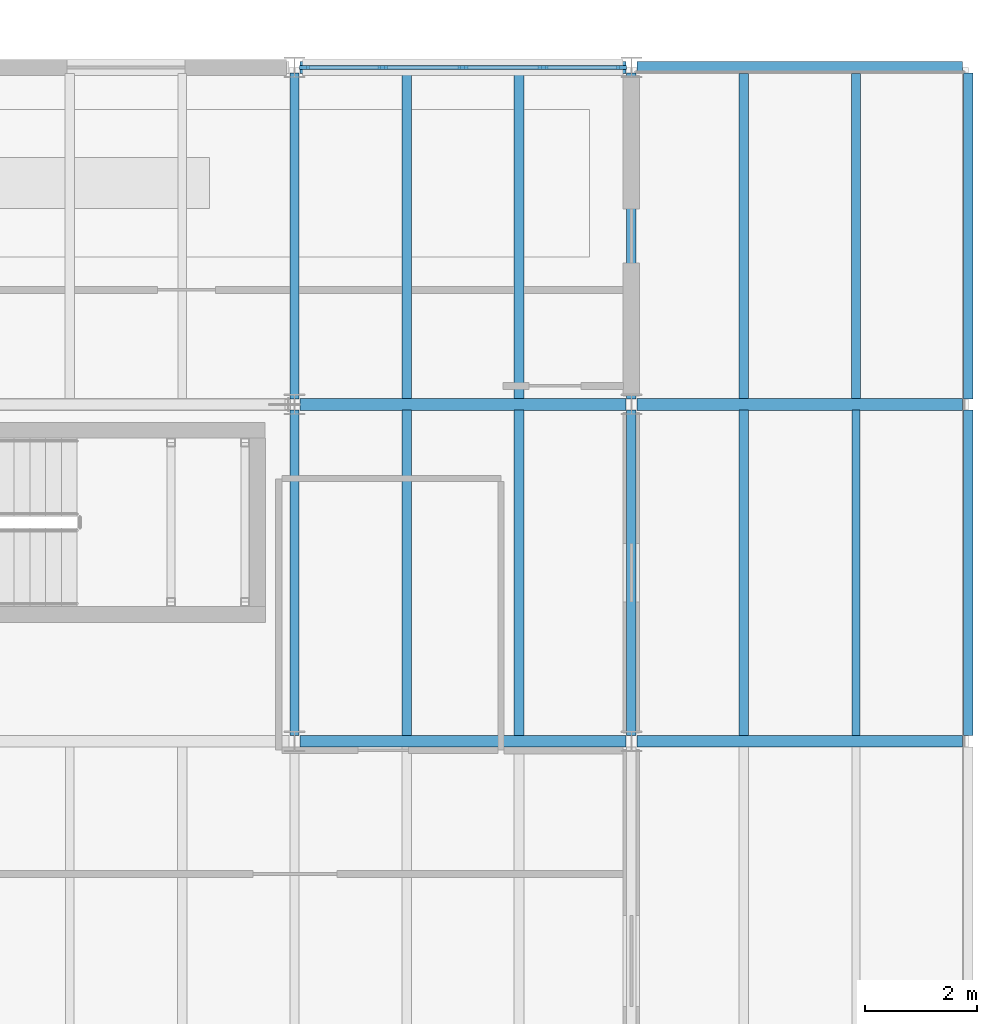
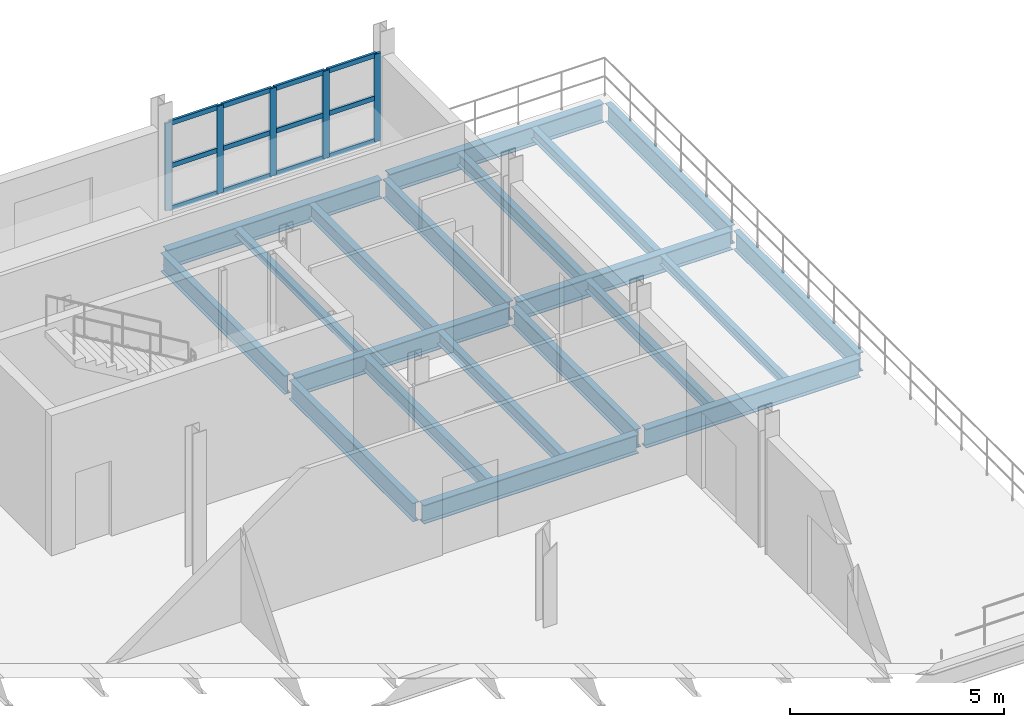
# One storey, part 20 of 45: 20 beams, 17 members, 1 element without a shape of its own.
"""IFC4 building model written with IfcOpenShell, lengths in metres."""

from ifc_helpers import new_model, si_unit, direction, frame, origin, origin_2d, place, context, subcontext, project, spatial, rectangle, i_section, extrude, material, material_profile, profile_set, type_object, element, aggregate, save


model = new_model("IFC4")

# Units and contexts
model_context = context("Model", 3, precision=1e-05, world=origin(), true_north=direction((0.0, 1.0)))
body_context = subcontext(model_context, "Body", "Model", "MODEL_VIEW")
ifc_project = project(units=[si_unit("LENGTHUNIT", "METRE"), si_unit("AREAUNIT", "SQUARE_METRE"), si_unit("VOLUMEUNIT", "CUBIC_METRE"), si_unit("PLANEANGLEUNIT", "RADIAN"), si_unit("MASSUNIT", "GRAM", prefix="KILO")], contexts=[model_context])

# Site, building, storey
site_placement = place(None, origin())
site = spatial("IfcSite", under=ifc_project, at=site_placement, CompositionType="ELEMENT")
building_placement = place(site_placement, origin())
building = spatial("IfcBuilding", under=site, at=building_placement, Name="Siltcreek Boulevard Central Fire Station", CompositionType="ELEMENT")
storey_placement = place(building_placement, frame((0.0, 0.0, 10.0)))
storey = spatial("IfcBuildingStorey", under=building, at=storey_placement, Name="L03", CompositionType="ELEMENT", Elevation=10.0)

# Beams
ifc_material_1 = material(Name="Structural steel ASTM A992 Gr50", Category="steel")
ifc_material_profile_1 = material_profile(ifc_material_1, i_section(OverallWidth=0.2109375, OverallDepth=0.5390625, WebThickness=0.01171875, FlangeThickness=0.018798828125, at=origin_2d()), Name="W530X109")
ifc_profile_set_1 = profile_set([ifc_material_profile_1], Name="Structural steel ASTM A992 Gr50")
beam_type_1 = type_object("IfcBeamType", Name="BM_W530X109", PredefinedType="BEAM", material=ifc_profile_set_1)
for number, where, z_axis, x_axis, name in (
    (1, (154.300048828125, 100.199951171875, -0.549560546875), (1.0, 0.0, 0.0), (0.0, 1.0, 0.0), "L03 primary steel girder GX-0419"),
    (2, (160.300048828125, 100.199951171875, -0.4794921875), (1.0, 0.0, 0.0), (0.0, 1.0, 0.0), "L03 primary steel girder GX-0420"),
    (3, (154.300048828125, 106.199951171875, -0.549560546875), (1.0, 0.0, 0.0), (0.0, 1.0, 0.0), "L03 primary steel girder GX-0426"),
    (4, (160.300048828125, 106.199951171875, -0.4794921875), (1.0, 0.0, 0.0), (0.0, 1.0, 0.0), "L03 primary steel girder GX-0427"),
    (5, (154.300048828125, 112.199951171875, -0.549560546875), (1.0, 0.0, 0.0), (0.0, 1.0, 0.0), "L03 primary steel girder GX-0433"),
    (6, (160.300048828125, 112.199951171875, -0.4794921875), (1.0, 0.0, 0.0), (0.0, 1.0, 0.0), "L03 primary steel girder GX-0434"),
):
    element("IfcBeam", number, at=place(storey_placement, frame(where, z_axis=z_axis, x_axis=x_axis)), inside=storey, type_object=beam_type_1, Name=name, PredefinedType="BEAM", context=body_context, shape_type="SweptSolid", body=[
        extrude(i_section(OverallWidth=0.2109375, OverallDepth=0.5390625, WebThickness=0.01171875, FlangeThickness=0.018798828125, at=origin_2d()), origin(), (0.0, 0.0, 1.0), 5.800048828125),
    ])
ifc_material_profile_2 = material_profile(ifc_material_1, i_section(OverallWidth=0.166015625, OverallDepth=0.534912109375, WebThickness=0.01025390625, FlangeThickness=0.0166015625, at=origin_2d()), Name="W530X85")
ifc_profile_set_2 = profile_set([ifc_material_profile_2], Name="Structural steel ASTM A992 Gr50")
beam_type_2 = type_object("IfcBeamType", Name="BM_W530X85", PredefinedType="BEAM", material=ifc_profile_set_2)
for number, where, z_axis, x_axis, name in (
    (7, (154.199951171875, 100.300048828125, -0.547607421875), (0.0, 1.0, 0.0), (-1.0, 0.0, 0.0), "L03 primary steel girder GY-0455"),
    (8, (154.199951171875, 106.300048828125, -0.547607421875), (0.0, 1.0, 0.0), (-1.0, 0.0, 0.0), "L03 primary steel girder GY-0456"),
    (9, (160.199951171875, 100.300048828125, -0.547607421875), (0.0, 1.0, 0.0), (-1.0, 0.0, 0.0), "L03 primary steel girder GY-0459"),
    (10, (160.199951171875, 106.300048828125, -0.547607421875), (0.0, 1.0, 0.0), (-1.0, 0.0, 0.0), "L03 primary steel girder GY-0460"),
    (11, (166.199951171875, 100.300048828125, -0.4775390625), (0.0, 1.0, 0.0), (-1.0, 0.0, 0.0), "L03 primary steel girder GY-0463"),
    (12, (166.199951171875, 106.300048828125, -0.4775390625), (0.0, 1.0, 0.0), (-1.0, 0.0, 0.0), "L03 primary steel girder GY-0464"),
):
    element("IfcBeam", number, at=place(storey_placement, frame(where, z_axis=z_axis, x_axis=x_axis)), inside=storey, type_object=beam_type_2, Name=name, PredefinedType="BEAM", context=body_context, shape_type="SweptSolid", body=[
        extrude(i_section(OverallWidth=0.166015625, OverallDepth=0.534912109375, WebThickness=0.01025390625, FlangeThickness=0.0166015625, at=origin_2d()), origin(), (0.0, 0.0, 1.0), 5.800048828125),
    ])

# Curtain wall, members
ifc_material_2 = material(Name="Anodized aluminum and low-E insulated glazing", Category="aluminium")
curtain_wall_type = type_object("IfcCurtainWallType", Name="CW_SYS_11", PredefinedType="USERDEFINED", material=ifc_material_2)
curtain_wall_placement = place(storey_placement, origin())
curtain_wall = element("IfcCurtainWall", 13, at=curtain_wall_placement, inside=storey, type_object=curtain_wall_type, Name="L03 V5 unitised curtain wall CW-160", ObjectType="CURTAIN WALL", PredefinedType="USERDEFINED")
ifc_material_3 = material(Name="Anodized 6063-T6 aluminum framing", Category="aluminium")
ifc_material_profile_3 = material_profile(ifc_material_3, rectangle(XDim=0.06494140625, YDim=0.175048828125, at=origin_2d()), Name="MULL65X175")
ifc_profile_set_3 = profile_set([ifc_material_profile_3], Name="Anodized 6063-T6 aluminum framing")
member_type_1 = type_object("IfcMemberType", Name="CWM_65X175", PredefinedType="MULLION", material=ifc_profile_set_3)
member_1_placement = place(storey_placement, frame((160.0224609375, 112.199951171875, 0.800048828125), z_axis=(0.0, 0.0, 1.0), x_axis=(0.0, -1.0, 0.0)))
member_1 = element("IfcMember", 14, at=member_1_placement, type_object=member_type_1, Name="CW-160 mullion 1", PredefinedType="MULLION", context=body_context, shape_type="SweptSolid", body=[
    extrude(rectangle(XDim=0.06494140625, YDim=0.175048828125, at=origin_2d()), origin(), (0.0, 0.0, 1.0), 2.4990234375),
])
member_2_placement = place(storey_placement, frame((158.62744140625, 112.199951171875, 0.800048828125), z_axis=(0.0, 0.0, 1.0), x_axis=(0.0, -1.0, 0.0)))
member_2 = element("IfcMember", 15, at=member_2_placement, type_object=member_type_1, Name="CW-160 mullion 2", PredefinedType="MULLION", context=body_context, shape_type="SweptSolid", body=[
    extrude(rectangle(XDim=0.06494140625, YDim=0.175048828125, at=origin_2d()), origin(), (0.0, 0.0, 1.0), 2.4990234375),
])
member_3_placement = place(storey_placement, frame((157.199951171875, 112.199951171875, 0.800048828125), z_axis=(0.0, 0.0, 1.0), x_axis=(0.0, -1.0, 0.0)))
member_3 = element("IfcMember", 16, at=member_3_placement, type_object=member_type_1, Name="CW-160 mullion 3", PredefinedType="MULLION", context=body_context, shape_type="SweptSolid", body=[
    extrude(rectangle(XDim=0.06494140625, YDim=0.175048828125, at=origin_2d()), origin(), (0.0, 0.0, 1.0), 2.4990234375),
])
member_4_placement = place(storey_placement, frame((155.7724609375, 112.199951171875, 0.800048828125), z_axis=(0.0, 0.0, 1.0), x_axis=(0.0, -1.0, 0.0)))
member_4 = element("IfcMember", 17, at=member_4_placement, type_object=member_type_1, Name="CW-160 mullion 4", PredefinedType="MULLION", context=body_context, shape_type="SweptSolid", body=[
    extrude(rectangle(XDim=0.06494140625, YDim=0.175048828125, at=origin_2d()), origin(), (0.0, 0.0, 1.0), 2.4990234375),
])
member_5_placement = place(storey_placement, frame((154.37744140625, 112.199951171875, 0.800048828125), z_axis=(0.0, 0.0, 1.0), x_axis=(0.0, -1.0, 0.0)))
member_5 = element("IfcMember", 18, at=member_5_placement, type_object=member_type_1, Name="CW-160 mullion 5", PredefinedType="MULLION", context=body_context, shape_type="SweptSolid", body=[
    extrude(rectangle(XDim=0.06494140625, YDim=0.175048828125, at=origin_2d()), origin(), (0.0, 0.0, 1.0), 2.4990234375),
])
ifc_material_profile_4 = material_profile(ifc_material_3, rectangle(XDim=0.06494140625, YDim=0.135009765625, at=origin_2d()), Name="TRAN65X135")
ifc_profile_set_4 = profile_set([ifc_material_profile_4], Name="Anodized 6063-T6 aluminum framing")
member_type_2 = type_object("IfcMemberType", Name="CWT_65X135", PredefinedType="USERDEFINED", material=ifc_profile_set_4)
member_6_placement = place(storey_placement, frame((159.989990234375, 112.199951171875, 0.83251953125), z_axis=(-1.0, 0.0, 0.0), x_axis=(0.0, -1.0, 0.0)))
member_6 = element("IfcMember", 19, at=member_6_placement, type_object=member_type_2, Name="CW-160 transom 1.1", ObjectType="TRANSOM", PredefinedType="USERDEFINED", context=body_context, shape_type="SweptSolid", body=[
    extrude(rectangle(XDim=0.06494140625, YDim=0.135009765625, at=origin_2d()), origin(), (0.0, 0.0, 1.0), 1.330078125),
])
member_7_placement = place(storey_placement, frame((159.989990234375, 112.199951171875, 2.049560546875), z_axis=(-1.0, 0.0, 0.0), x_axis=(0.0, -1.0, 0.0)))
member_7 = element("IfcMember", 20, at=member_7_placement, type_object=member_type_2, Name="CW-160 transom 1.2", ObjectType="TRANSOM", PredefinedType="USERDEFINED", context=body_context, shape_type="SweptSolid", body=[
    extrude(rectangle(XDim=0.06494140625, YDim=0.135009765625, at=origin_2d()), origin(), (0.0, 0.0, 1.0), 1.330078125),
])
member_8_placement = place(storey_placement, frame((159.989990234375, 112.199951171875, 3.2666015625), z_axis=(-1.0, 0.0, 0.0), x_axis=(0.0, -1.0, 0.0)))
member_8 = element("IfcMember", 21, at=member_8_placement, type_object=member_type_2, Name="CW-160 transom 1.3", ObjectType="TRANSOM", PredefinedType="USERDEFINED", context=body_context, shape_type="SweptSolid", body=[
    extrude(rectangle(XDim=0.06494140625, YDim=0.135009765625, at=origin_2d()), origin(), (0.0, 0.0, 1.0), 1.330078125),
])
member_9_placement = place(storey_placement, frame((158.594970703125, 112.199951171875, 0.83251953125), z_axis=(-1.0, 0.0, 0.0), x_axis=(0.0, -1.0, 0.0)))
member_9 = element("IfcMember", 22, at=member_9_placement, type_object=member_type_2, Name="CW-160 transom 2.1", ObjectType="TRANSOM", PredefinedType="USERDEFINED", context=body_context, shape_type="SweptSolid", body=[
    extrude(rectangle(XDim=0.06494140625, YDim=0.135009765625, at=origin_2d()), origin(), (0.0, 0.0, 1.0), 1.362548828125),
])
member_10_placement = place(storey_placement, frame((158.594970703125, 112.199951171875, 2.049560546875), z_axis=(-1.0, 0.0, 0.0), x_axis=(0.0, -1.0, 0.0)))
member_10 = element("IfcMember", 23, at=member_10_placement, type_object=member_type_2, Name="CW-160 transom 2.2", ObjectType="TRANSOM", PredefinedType="USERDEFINED", context=body_context, shape_type="SweptSolid", body=[
    extrude(rectangle(XDim=0.06494140625, YDim=0.135009765625, at=origin_2d()), origin(), (0.0, 0.0, 1.0), 1.362548828125),
])
member_11_placement = place(storey_placement, frame((158.594970703125, 112.199951171875, 3.2666015625), z_axis=(-1.0, 0.0, 0.0), x_axis=(0.0, -1.0, 0.0)))
member_11 = element("IfcMember", 24, at=member_11_placement, type_object=member_type_2, Name="CW-160 transom 2.3", ObjectType="TRANSOM", PredefinedType="USERDEFINED", context=body_context, shape_type="SweptSolid", body=[
    extrude(rectangle(XDim=0.06494140625, YDim=0.135009765625, at=origin_2d()), origin(), (0.0, 0.0, 1.0), 1.362548828125),
])
member_12_placement = place(storey_placement, frame((157.16748046875, 112.199951171875, 0.83251953125), z_axis=(-1.0, 0.0, 0.0), x_axis=(0.0, -1.0, 0.0)))
member_12 = element("IfcMember", 25, at=member_12_placement, type_object=member_type_2, Name="CW-160 transom 3.1", ObjectType="TRANSOM", PredefinedType="USERDEFINED", context=body_context, shape_type="SweptSolid", body=[
    extrude(rectangle(XDim=0.06494140625, YDim=0.135009765625, at=origin_2d()), origin(), (0.0, 0.0, 1.0), 1.362548828125),
])
member_13_placement = place(storey_placement, frame((157.16748046875, 112.199951171875, 2.049560546875), z_axis=(-1.0, 0.0, 0.0), x_axis=(0.0, -1.0, 0.0)))
member_13 = element("IfcMember", 26, at=member_13_placement, type_object=member_type_2, Name="CW-160 transom 3.2", ObjectType="TRANSOM", PredefinedType="USERDEFINED", context=body_context, shape_type="SweptSolid", body=[
    extrude(rectangle(XDim=0.06494140625, YDim=0.135009765625, at=origin_2d()), origin(), (0.0, 0.0, 1.0), 1.362548828125),
])
member_14_placement = place(storey_placement, frame((157.16748046875, 112.199951171875, 3.2666015625), z_axis=(-1.0, 0.0, 0.0), x_axis=(0.0, -1.0, 0.0)))
member_14 = element("IfcMember", 27, at=member_14_placement, type_object=member_type_2, Name="CW-160 transom 3.3", ObjectType="TRANSOM", PredefinedType="USERDEFINED", context=body_context, shape_type="SweptSolid", body=[
    extrude(rectangle(XDim=0.06494140625, YDim=0.135009765625, at=origin_2d()), origin(), (0.0, 0.0, 1.0), 1.362548828125),
])
member_15_placement = place(storey_placement, frame((155.739990234375, 112.199951171875, 0.83251953125), z_axis=(-1.0, 0.0, 0.0), x_axis=(0.0, -1.0, 0.0)))
member_15 = element("IfcMember", 28, at=member_15_placement, type_object=member_type_2, Name="CW-160 transom 4.1", ObjectType="TRANSOM", PredefinedType="USERDEFINED", context=body_context, shape_type="SweptSolid", body=[
    extrude(rectangle(XDim=0.06494140625, YDim=0.135009765625, at=origin_2d()), origin(), (0.0, 0.0, 1.0), 1.330078125),
])
member_16_placement = place(storey_placement, frame((155.739990234375, 112.199951171875, 2.049560546875), z_axis=(-1.0, 0.0, 0.0), x_axis=(0.0, -1.0, 0.0)))
member_16 = element("IfcMember", 29, at=member_16_placement, type_object=member_type_2, Name="CW-160 transom 4.2", ObjectType="TRANSOM", PredefinedType="USERDEFINED", context=body_context, shape_type="SweptSolid", body=[
    extrude(rectangle(XDim=0.06494140625, YDim=0.135009765625, at=origin_2d()), origin(), (0.0, 0.0, 1.0), 1.330078125),
])
member_17_placement = place(storey_placement, frame((155.739990234375, 112.199951171875, 3.2666015625), z_axis=(-1.0, 0.0, 0.0), x_axis=(0.0, -1.0, 0.0)))
member_17 = element("IfcMember", 30, at=member_17_placement, type_object=member_type_2, Name="CW-160 transom 4.3", ObjectType="TRANSOM", PredefinedType="USERDEFINED", context=body_context, shape_type="SweptSolid", body=[
    extrude(rectangle(XDim=0.06494140625, YDim=0.135009765625, at=origin_2d()), origin(), (0.0, 0.0, 1.0), 1.330078125),
])
aggregate(curtain_wall, [member_1, member_2, member_3, member_4, member_5, member_6, member_7, member_8, member_9, member_10, member_11, member_12, member_13, member_14, member_15, member_16, member_17])

# Beams
ifc_material_profile_5 = material_profile(ifc_material_1, i_section(OverallWidth=0.1650390625, OverallDepth=0.200927734375, WebThickness=0.006103515625, FlangeThickness=0.01025390625, at=origin_2d()), Name="W200X36")
ifc_profile_set_5 = profile_set([ifc_material_profile_5], Name="Structural steel ASTM A992 Gr50")
beam_type_3 = type_object("IfcBeamType", Name="JST_W200X36", PredefinedType="JOIST", material=ifc_profile_set_5)
beam_1_placement = place(storey_placement, frame((156.199951171875, 106.303466796875, -0.380615234375), z_axis=(0.0, 1.0, 0.0), x_axis=(-1.0, 0.0, 0.0)))
element("IfcBeam", 31, at=beam_1_placement, inside=storey, type_object=beam_type_3, Name="L03 secondary steel floor joist 0401", PredefinedType="JOIST", context=body_context, shape_type="SweptSolid", body=[
    extrude(i_section(OverallWidth=0.1650390625, OverallDepth=0.200927734375, WebThickness=0.006103515625, FlangeThickness=0.01025390625, at=origin_2d()), origin(), (0.0, 0.0, 1.0), 5.79296875),
])
ifc_material_profile_6 = material_profile(ifc_material_1, i_section(OverallWidth=0.14697265625, OverallDepth=0.261962890625, WebThickness=0.006591796875, FlangeThickness=0.01123046875, at=origin_2d()), Name="W250X39")
ifc_profile_set_6 = profile_set([ifc_material_profile_6], Name="Structural steel ASTM A992 Gr50")
beam_type_4 = type_object("IfcBeamType", Name="JST_W250X39", PredefinedType="JOIST", material=ifc_profile_set_6)
beam_2_placement = place(storey_placement, frame((164.199951171875, 100.303466796875, -0.341064453125), z_axis=(0.0, 1.0, 0.0), x_axis=(-1.0, 0.0, 0.0)))
element("IfcBeam", 32, at=beam_2_placement, inside=storey, type_object=beam_type_4, Name="L03 secondary steel floor joist 0390", PredefinedType="JOIST", context=body_context, shape_type="SweptSolid", body=[
    extrude(i_section(OverallWidth=0.14697265625, OverallDepth=0.261962890625, WebThickness=0.006591796875, FlangeThickness=0.01123046875, at=origin_2d()), origin(), (0.0, 0.0, 1.0), 5.79296875),
])
ifc_material_profile_7 = material_profile(ifc_material_1, i_section(OverallWidth=0.166015625, OverallDepth=0.31298828125, WebThickness=0.006591796875, FlangeThickness=0.01123046875, at=origin_2d()), Name="W310X45")
ifc_profile_set_7 = profile_set([ifc_material_profile_7], Name="Structural steel ASTM A992 Gr50")
beam_type_5 = type_object("IfcBeamType", Name="JST_W310X45", PredefinedType="JOIST", material=ifc_profile_set_7)
for number, where, z_axis, x_axis, name in (
    (33, (162.199951171875, 100.303466796875, -0.366455078125), (0.0, 1.0, 0.0), (-1.0, 0.0, 0.0), "L03 secondary steel floor joist 0389"),
    (34, (164.199951171875, 106.303466796875, -0.366455078125), (0.0, 1.0, 0.0), (-1.0, 0.0, 0.0), "L03 secondary steel floor joist 0404"),
):
    element("IfcBeam", number, at=place(storey_placement, frame(where, z_axis=z_axis, x_axis=x_axis)), inside=storey, type_object=beam_type_5, Name=name, PredefinedType="JOIST", context=body_context, shape_type="SweptSolid", body=[
        extrude(i_section(OverallWidth=0.166015625, OverallDepth=0.31298828125, WebThickness=0.006591796875, FlangeThickness=0.01123046875, at=origin_2d()), origin(), (0.0, 0.0, 1.0), 5.79296875),
    ])
ifc_material_profile_8 = material_profile(ifc_material_1, i_section(OverallWidth=0.172119140625, OverallDepth=0.35791015625, WebThickness=0.0078125, FlangeThickness=0.01318359375, at=origin_2d()), Name="W360X57")
ifc_profile_set_8 = profile_set([ifc_material_profile_8], Name="Structural steel ASTM A992 Gr50")
beam_type_6 = type_object("IfcBeamType", Name="JST_W360X57", PredefinedType="JOIST", material=ifc_profile_set_8)
for number, where, z_axis, x_axis, name in (
    (35, (158.199951171875, 100.303466796875, -0.458984375), (0.0, 1.0, 0.0), (-1.0, 0.0, 0.0), "L03 secondary steel floor joist 0388"),
    (36, (162.199951171875, 106.303466796875, -0.388916015625), (0.0, 1.0, 0.0), (-1.0, 0.0, 0.0), "L03 secondary steel floor joist 0403"),
):
    element("IfcBeam", number, at=place(storey_placement, frame(where, z_axis=z_axis, x_axis=x_axis)), inside=storey, type_object=beam_type_6, Name=name, PredefinedType="JOIST", context=body_context, shape_type="SweptSolid", body=[
        extrude(i_section(OverallWidth=0.172119140625, OverallDepth=0.35791015625, WebThickness=0.0078125, FlangeThickness=0.01318359375, at=origin_2d()), origin(), (0.0, 0.0, 1.0), 5.79296875),
    ])
ifc_material_profile_9 = material_profile(ifc_material_1, i_section(OverallWidth=0.177001953125, OverallDepth=0.403076171875, WebThickness=0.007568359375, FlangeThickness=0.010986328125, at=origin_2d()), Name="W410X53")
ifc_profile_set_9 = profile_set([ifc_material_profile_9], Name="Structural steel ASTM A992 Gr50")
beam_type_7 = type_object("IfcBeamType", Name="JST_W410X53", PredefinedType="JOIST", material=ifc_profile_set_9)
for number, where, z_axis, x_axis, name in (
    (37, (156.199951171875, 100.303466796875, -0.4814453125), (0.0, 1.0, 0.0), (-1.0, 0.0, 0.0), "L03 secondary steel floor joist 0387"),
    (38, (158.199951171875, 106.303466796875, -0.4814453125), (0.0, 1.0, 0.0), (-1.0, 0.0, 0.0), "L03 secondary steel floor joist 0402"),
):
    element("IfcBeam", number, at=place(storey_placement, frame(where, z_axis=z_axis, x_axis=x_axis)), inside=storey, type_object=beam_type_7, Name=name, PredefinedType="JOIST", context=body_context, shape_type="SweptSolid", body=[
        extrude(i_section(OverallWidth=0.177001953125, OverallDepth=0.403076171875, WebThickness=0.007568359375, FlangeThickness=0.010986328125, at=origin_2d()), origin(), (0.0, 0.0, 1.0), 5.79296875),
    ])

save(model, "model.ifc")
